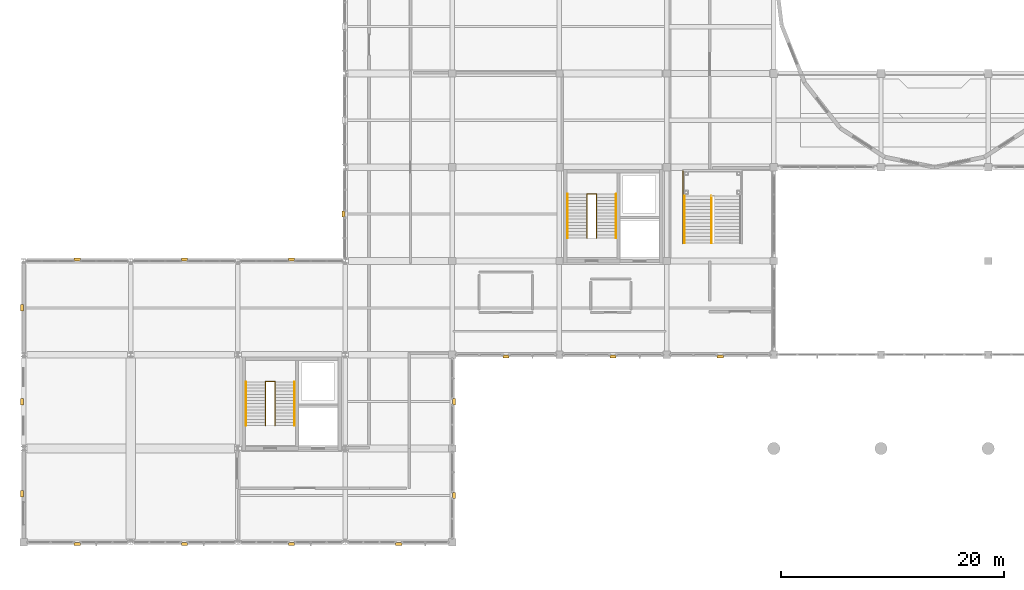
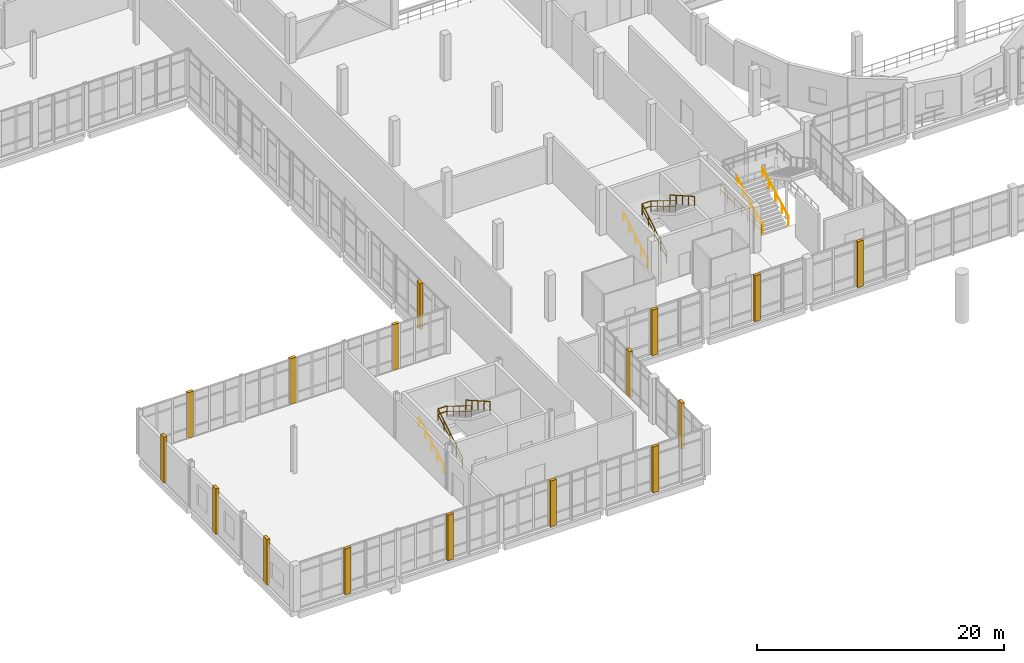
# One storey, part 96 of 102: 16 coverings, 13 railings.
"""IFC4 building model written with IfcOpenShell, lengths in metres."""

from ifc_helpers import new_model, si_unit, direction, frame, origin, origin_2d, place, context, subcontext, project, spatial, polyline, circle, outline, extrude, material, layer, layer_set, type_object, element, save


model = new_model("IFC4")

# Units and contexts
model_context = context("Model", 3, precision=1e-05, world=origin(), true_north=direction((0.0, 1.0)))
body_context = subcontext(model_context, "Body", "Model", "MODEL_VIEW")
ifc_project = project(units=[si_unit("LENGTHUNIT", "METRE"), si_unit("AREAUNIT", "SQUARE_METRE"), si_unit("VOLUMEUNIT", "CUBIC_METRE"), si_unit("PLANEANGLEUNIT", "RADIAN"), si_unit("MASSUNIT", "GRAM", prefix="KILO")], contexts=[model_context])

# Site, building, storey
site_placement = place(None, origin())
site = spatial("IfcSite", under=ifc_project, at=site_placement, CompositionType="ELEMENT")
building_placement = place(site_placement, origin())
building = spatial("IfcBuilding", under=site, at=building_placement, Name="Lornevale Opera House", CompositionType="ELEMENT")
storey_placement = place(building_placement, frame((0.0, 0.0, 5.39990234375)))
storey = spatial("IfcBuildingStorey", under=building, at=storey_placement, Name="L02", CompositionType="ELEMENT", Elevation=5.39990234375)

# Railing
ifc_material_1 = material(Name="Structural Steel CSA G40.21 Grade 350W (350 MPa)", Category="steel")
ifc_layer_1 = layer(ifc_material_1, 0.06005859375)
ifc_layer_set_1 = layer_set([ifc_layer_1], Name="Structural Steel CSA G40.21 Grade 350W (350 MPa)")
railing_type_1 = type_object("IfcRailingType", Name="Atrium Acoustic Balustrade 1120", PredefinedType="BALUSTRADE", material=ifc_layer_set_1)
railing_1_placement = place(storey_placement, frame((59.050048828125, 26.75, 0.0)))
element("IfcRailing", 1, at=railing_1_placement, inside=storey, type_object=railing_type_1, Name="Feature Stair Well Guard L02", PredefinedType="BALUSTRADE", context=body_context, shape_type="SweptSolid", body=[
    extrude(circle(Radius=0.02392578125, at=origin_2d()), frame((0.0, 0.0, 1.09619140625), z_axis=(0.0, 1.0, 0.0), x_axis=(-1.0, 0.0, 0.0)), (0.0, 0.0, 1.0), 6.60009765625),
    extrude(circle(Radius=0.02392578125, at=origin_2d()), frame((0.0, 0.0, 0.56005859375), z_axis=(0.0, 1.0, 0.0), x_axis=(-1.0, 0.0, 0.0)), (0.0, 0.0, 1.0), 6.60009765625),
    extrude(circle(Radius=0.02099609375, at=origin_2d()), origin(), (0.0, 0.0, 1.0), 1.072021484375),
    extrude(circle(Radius=0.02099609375, at=origin_2d()), frame((0.0, 1.10009765625, 0.0)), (0.0, 0.0, 1.0), 1.072021484375),
    extrude(circle(Radius=0.02099609375, at=origin_2d()), frame((0.0, 2.199951171875, 0.0)), (0.0, 0.0, 1.0), 1.072021484375),
    extrude(circle(Radius=0.02099609375, at=origin_2d()), frame((0.0, 3.300048828125, 0.0)), (0.0, 0.0, 1.0), 1.072021484375),
    extrude(circle(Radius=0.02099609375, at=origin_2d()), frame((0.0, 4.400146484375, 0.0)), (0.0, 0.0, 1.0), 1.072021484375),
    extrude(circle(Radius=0.02099609375, at=origin_2d()), frame((0.0, 5.5, 0.0)), (0.0, 0.0, 1.0), 1.072021484375),
    extrude(circle(Radius=0.02099609375, at=origin_2d()), frame((0.0, 6.60009765625, 0.0)), (0.0, 0.0, 1.0), 1.072021484375),
])

# Coverings
ifc_material_2 = material(Name="Precast Concrete 40 MPa (CSA A23.1 C-1)", Category="concrete")
ifc_layer_2 = layer(ifc_material_2, 0.260009765625)
ifc_layer_set_2 = layer_set([ifc_layer_2], Name="Precast Concrete 40 MPa (CSA A23.1 C-1)")
covering_type = type_object("IfcCoveringType", Name="Postmodern Sandstone Pilaster Rib", PredefinedType="CLADDING", material=ifc_layer_set_2)
covering_1_placement = place(storey_placement, origin())
element("IfcCovering", 2, at=covering_1_placement, inside=storey, type_object=covering_type, Name="Postmodern Sandstone Mullion Pier 0185", PredefinedType="CLADDING", context=body_context, shape_type="SweptSolid", body=[
    extrude(outline(polyline([(5.080078125, 0.0), (4.52001953125, 0.0), (4.52001953125, -0.280029296875), (5.080078125, -0.280029296875), (5.080078125, 0.0)])), origin(), (0.0, 0.0, 1.0), 4.52001953125),
])
covering_2_placement = place(storey_placement, origin())
element("IfcCovering", 3, at=covering_2_placement, inside=storey, type_object=covering_type, Name="Postmodern Sandstone Pilaster 0186", PredefinedType="CLADDING", context=body_context, shape_type="SweptSolid", body=[
    extrude(outline(polyline([(0.0, 4.072998046875), (0.0, 4.633056640625), (-0.280029296875, 4.633056640625), (-0.280029296875, 4.072998046875), (0.0, 4.072998046875)])), origin(), (0.0, 0.0, 1.0), 4.52001953125),
])
covering_3_placement = place(storey_placement, origin())
element("IfcCovering", 4, at=covering_3_placement, inside=storey, type_object=covering_type, Name="Postmodern Sandstone Pilaster 0187", PredefinedType="CLADDING", context=body_context, shape_type="SweptSolid", body=[
    extrude(outline(polyline([(0.0, 12.320068359375), (0.0, 12.8798828125), (-0.280029296875, 12.8798828125), (-0.280029296875, 12.320068359375), (0.0, 12.320068359375)])), origin(), (0.0, 0.0, 1.0), 4.52001953125),
])
covering_4_placement = place(storey_placement, origin())
element("IfcCovering", 5, at=covering_4_placement, inside=storey, type_object=covering_type, Name="Postmodern Sandstone Mullion Pier 0188", PredefinedType="CLADDING", context=body_context, shape_type="SweptSolid", body=[
    extrude(outline(polyline([(4.52001953125, 25.199951171875), (5.080078125, 25.199951171875), (5.080078125, 25.47998046875), (4.52001953125, 25.47998046875), (4.52001953125, 25.199951171875)])), origin(), (0.0, 0.0, 1.0), 4.52001953125),
])
covering_5_placement = place(storey_placement, origin())
element("IfcCovering", 6, at=covering_5_placement, inside=storey, type_object=covering_type, Name="Postmodern Sandstone Pilaster 0189", PredefinedType="CLADDING", context=body_context, shape_type="SweptSolid", body=[
    extrude(outline(polyline([(0.0, 20.719970703125), (0.0, 21.280029296875), (-0.280029296875, 21.280029296875), (-0.280029296875, 20.719970703125), (0.0, 20.719970703125)])), origin(), (0.0, 0.0, 1.0), 4.52001953125),
])
covering_6_placement = place(storey_placement, origin())
element("IfcCovering", 7, at=covering_6_placement, inside=storey, type_object=covering_type, Name="Postmodern Sandstone Mullion Pier 0196", PredefinedType="CLADDING", context=body_context, shape_type="SweptSolid", body=[
    extrude(outline(polyline([(14.679931640625, 0.0), (14.1201171875, 0.0), (14.1201171875, -0.280029296875), (14.679931640625, -0.280029296875), (14.679931640625, 0.0)])), origin(), (0.0, 0.0, 1.0), 4.52001953125),
])
covering_7_placement = place(storey_placement, origin())
element("IfcCovering", 8, at=covering_7_placement, inside=storey, type_object=covering_type, Name="Postmodern Sandstone Mullion Pier 0197", PredefinedType="CLADDING", context=body_context, shape_type="SweptSolid", body=[
    extrude(outline(polyline([(14.1201171875, 25.199951171875), (14.679931640625, 25.199951171875), (14.679931640625, 25.47998046875), (14.1201171875, 25.47998046875), (14.1201171875, 25.199951171875)])), origin(), (0.0, 0.0, 1.0), 4.52001953125),
])
covering_8_placement = place(storey_placement, origin())
element("IfcCovering", 9, at=covering_8_placement, inside=storey, type_object=covering_type, Name="Postmodern Sandstone Mullion Pier 0200", PredefinedType="CLADDING", context=body_context, shape_type="SweptSolid", body=[
    extrude(outline(polyline([(24.280029296875, 0.0), (23.719970703125, 0.0), (23.719970703125, -0.280029296875), (24.280029296875, -0.280029296875), (24.280029296875, 0.0)])), origin(), (0.0, 0.0, 1.0), 4.52001953125),
])
covering_9_placement = place(storey_placement, origin())
element("IfcCovering", 10, at=covering_9_placement, inside=storey, type_object=covering_type, Name="Postmodern Sandstone Mullion Pier 0201", PredefinedType="CLADDING", context=body_context, shape_type="SweptSolid", body=[
    extrude(outline(polyline([(23.719970703125, 25.199951171875), (24.280029296875, 25.199951171875), (24.280029296875, 25.47998046875), (23.719970703125, 25.47998046875), (23.719970703125, 25.199951171875)])), origin(), (0.0, 0.0, 1.0), 4.52001953125),
])
covering_10_placement = place(storey_placement, origin())
element("IfcCovering", 11, at=covering_10_placement, inside=storey, type_object=covering_type, Name="Postmodern Sandstone Mullion Pier 0204", PredefinedType="CLADDING", context=body_context, shape_type="SweptSolid", body=[
    extrude(outline(polyline([(33.8798828125, 0.0), (33.320068359375, 0.0), (33.320068359375, -0.280029296875), (33.8798828125, -0.280029296875), (33.8798828125, 0.0)])), origin(), (0.0, 0.0, 1.0), 4.52001953125),
])
covering_11_placement = place(storey_placement, origin())
element("IfcCovering", 12, at=covering_11_placement, inside=storey, type_object=covering_type, Name="Postmodern Sandstone Mullion Pier 0205", PredefinedType="CLADDING", context=body_context, shape_type="SweptSolid", body=[
    extrude(outline(polyline([(38.39990234375, 4.47998046875), (38.39990234375, 3.919921875), (38.679931640625, 3.919921875), (38.679931640625, 4.47998046875), (38.39990234375, 4.47998046875)])), origin(), (0.0, 0.0, 1.0), 4.52001953125),
])
covering_12_placement = place(storey_placement, origin())
element("IfcCovering", 13, at=covering_12_placement, inside=storey, type_object=covering_type, Name="Postmodern Sandstone Mullion Pier 0206", PredefinedType="CLADDING", context=body_context, shape_type="SweptSolid", body=[
    extrude(outline(polyline([(38.39990234375, 12.8798828125), (38.39990234375, 12.320068359375), (38.679931640625, 12.320068359375), (38.679931640625, 12.8798828125), (38.39990234375, 12.8798828125)])), origin(), (0.0, 0.0, 1.0), 4.52001953125),
])
covering_13_placement = place(storey_placement, origin())
element("IfcCovering", 14, at=covering_13_placement, inside=storey, type_object=covering_type, Name="Postmodern Sandstone Mullion Pier 0207", PredefinedType="CLADDING", context=body_context, shape_type="SweptSolid", body=[
    extrude(outline(polyline([(28.800048828125, 29.1201171875), (28.800048828125, 29.679931640625), (28.52001953125, 29.679931640625), (28.52001953125, 29.1201171875), (28.800048828125, 29.1201171875)])), origin(), (0.0, 0.0, 1.0), 4.52001953125),
])
covering_14_placement = place(storey_placement, origin())
element("IfcCovering", 15, at=covering_14_placement, inside=storey, type_object=covering_type, Name="Postmodern Sandstone Mullion Pier 0213", PredefinedType="CLADDING", context=body_context, shape_type="SweptSolid", body=[
    extrude(outline(polyline([(43.47998046875, 16.800048828125), (42.919921875, 16.800048828125), (42.919921875, 16.52001953125), (43.47998046875, 16.52001953125), (43.47998046875, 16.800048828125)])), origin(), (0.0, 0.0, 1.0), 4.52001953125),
])
covering_15_placement = place(storey_placement, origin())
element("IfcCovering", 16, at=covering_15_placement, inside=storey, type_object=covering_type, Name="Postmodern Sandstone Mullion Pier 0215", PredefinedType="CLADDING", context=body_context, shape_type="SweptSolid", body=[
    extrude(outline(polyline([(53.080078125, 16.800048828125), (52.52001953125, 16.800048828125), (52.52001953125, 16.52001953125), (53.080078125, 16.52001953125), (53.080078125, 16.800048828125)])), origin(), (0.0, 0.0, 1.0), 4.52001953125),
])
covering_16_placement = place(storey_placement, origin())
element("IfcCovering", 17, at=covering_16_placement, inside=storey, type_object=covering_type, Name="Postmodern Sandstone Mullion Pier 0217", PredefinedType="CLADDING", context=body_context, shape_type="SweptSolid", body=[
    extrude(outline(polyline([(62.679931640625, 16.800048828125), (62.1201171875, 16.800048828125), (62.1201171875, 16.52001953125), (62.679931640625, 16.52001953125), (62.679931640625, 16.800048828125)])), origin(), (0.0, 0.0, 1.0), 4.52001953125),
])

# Railings
ifc_layer_3 = layer(ifc_material_1, 0.050048828125)
ifc_layer_set_3 = layer_set([ifc_layer_3], Name="Structural Steel CSA G40.21 Grade 350W (350 MPa)")
railing_type_2 = type_object("IfcRailingType", Name="Stair Well Guardrail 1100", PredefinedType="GUARDRAIL", material=ifc_layer_set_3)
railing_2_placement = place(storey_placement, frame((50.47998046875, 27.260009765625, 0.0)))
element("IfcRailing", 18, at=railing_2_placement, inside=storey, type_object=railing_type_2, Name="ST-04 Inner Well Guard F1", PredefinedType="GUARDRAIL", context=body_context, shape_type="SweptSolid", body=[
    extrude(circle(Radius=0.02392578125, at=origin_2d()), frame((0.0, 0.0, 1.076171875), z_axis=(0.0, 0.852832477147, 0.522184609045), x_axis=(-1.0, 0.0, 0.0)), (0.0, 0.0, 1.0), 4.596435546875),
    extrude(circle(Radius=0.02392578125, at=origin_2d()), frame((0.0, 0.0, 0.550048828125), z_axis=(0.0, 0.852832477147, 0.522184609045), x_axis=(-1.0, 0.0, 0.0)), (0.0, 0.0, 1.0), 4.596435546875),
    extrude(circle(Radius=0.02099609375, at=origin_2d()), origin(), (0.0, 0.0, 1.0), 1.052001953125),
    extrude(circle(Radius=0.02099609375, at=origin_2d()), frame((0.0, 0.97998046875, 0.60009765625)), (0.0, 0.0, 1.0), 1.052001953125),
    extrude(circle(Radius=0.02099609375, at=origin_2d()), frame((0.0, 1.9599609375, 1.2001953125)), (0.0, 0.0, 1.0), 1.052001953125),
    extrude(circle(Radius=0.02099609375, at=origin_2d()), frame((0.0, 2.93994140625, 1.800048828125)), (0.0, 0.0, 1.0), 1.052001953125),
    extrude(circle(Radius=0.02099609375, at=origin_2d()), frame((0.0, 3.919921875, 2.400146484375)), (0.0, 0.0, 1.0), 1.052001953125),
])
railing_3_placement = place(storey_placement, frame((51.320068359375, 31.179931640625, 2.400146484375)))
element("IfcRailing", 19, at=railing_3_placement, inside=storey, type_object=railing_type_2, Name="ST-04 Inner Well Guard F2", PredefinedType="GUARDRAIL", context=body_context, shape_type="SweptSolid", body=[
    extrude(circle(Radius=0.02392578125, at=origin_2d()), frame((0.0, 0.0, 1.076171875), z_axis=(0.0, -0.852856131449, 0.522145974847), x_axis=(1.0, 0.0, 0.0)), (0.0, 0.0, 1.0), 4.59619140625),
    extrude(circle(Radius=0.02392578125, at=origin_2d()), frame((0.0, 0.0, 0.550048828125), z_axis=(0.0, -0.852856131449, 0.522145974847), x_axis=(1.0, 0.0, 0.0)), (0.0, 0.0, 1.0), 4.59619140625),
    extrude(circle(Radius=0.02099609375, at=origin_2d()), origin(), (0.0, 0.0, 1.0), 1.052001953125),
    extrude(circle(Radius=0.02099609375, at=origin_2d()), frame((0.0, -0.97998046875, 0.60009765625)), (0.0, 0.0, 1.0), 1.052001953125),
    extrude(circle(Radius=0.02099609375, at=origin_2d()), frame((0.0, -1.9599609375, 1.199951171875)), (0.0, 0.0, 1.0), 1.052001953125),
    extrude(circle(Radius=0.02099609375, at=origin_2d()), frame((0.0, -2.93994140625, 1.7998046875)), (0.0, 0.0, 1.0), 1.052001953125),
    extrude(circle(Radius=0.02099609375, at=origin_2d()), frame((0.0, -3.919921875, 2.39990234375)), (0.0, 0.0, 1.0), 1.052001953125),
])
railing_4_placement = place(storey_placement, frame((50.47998046875, 31.2099609375, 2.400146484375)))
element("IfcRailing", 20, at=railing_4_placement, inside=storey, type_object=railing_type_2, Name="ST-04 Half-Landing Slot Guard", PredefinedType="GUARDRAIL", context=body_context, shape_type="SweptSolid", body=[
    extrude(circle(Radius=0.02392578125, at=origin_2d()), frame((0.0, 0.0, 1.076171875), z_axis=(1.0, 0.0, 0.0), x_axis=(0.0, 1.0, 0.0)), (0.0, 0.0, 1.0), 0.840087890625),
    extrude(circle(Radius=0.02392578125, at=origin_2d()), frame((0.0, 0.0, 0.550048828125), z_axis=(1.0, 0.0, 0.0), x_axis=(0.0, 1.0, 0.0)), (0.0, 0.0, 1.0), 0.840087890625),
    extrude(circle(Radius=0.02099609375, at=origin_2d()), origin(), (0.0, 0.0, 1.0), 1.052001953125),
    extrude(circle(Radius=0.02099609375, at=origin_2d()), frame((0.840087890625, 0.0, 0.0)), (0.0, 0.0, 1.0), 1.052001953125),
])
railing_5_placement = place(storey_placement, frame((21.679931640625, 10.4599609375, 0.0)))
element("IfcRailing", 21, at=railing_5_placement, inside=storey, type_object=railing_type_2, Name="ST-11 Inner Well Guard F1", PredefinedType="GUARDRAIL", context=body_context, shape_type="SweptSolid", body=[
    extrude(circle(Radius=0.02392578125, at=origin_2d()), frame((0.0, 0.0, 1.076171875), z_axis=(0.0, 0.852832477147, 0.522184609045), x_axis=(-1.0, 0.0, 0.0)), (0.0, 0.0, 1.0), 4.596435546875),
    extrude(circle(Radius=0.02392578125, at=origin_2d()), frame((0.0, 0.0, 0.550048828125), z_axis=(0.0, 0.852832477147, 0.522184609045), x_axis=(-1.0, 0.0, 0.0)), (0.0, 0.0, 1.0), 4.596435546875),
    extrude(circle(Radius=0.02099609375, at=origin_2d()), origin(), (0.0, 0.0, 1.0), 1.052001953125),
    extrude(circle(Radius=0.02099609375, at=origin_2d()), frame((0.0, 0.97998046875, 0.60009765625)), (0.0, 0.0, 1.0), 1.052001953125),
    extrude(circle(Radius=0.02099609375, at=origin_2d()), frame((0.0, 1.9599609375, 1.2001953125)), (0.0, 0.0, 1.0), 1.052001953125),
    extrude(circle(Radius=0.02099609375, at=origin_2d()), frame((0.0, 2.93994140625, 1.800048828125)), (0.0, 0.0, 1.0), 1.052001953125),
    extrude(circle(Radius=0.02099609375, at=origin_2d()), frame((0.0, 3.919921875, 2.400146484375)), (0.0, 0.0, 1.0), 1.052001953125),
])
railing_6_placement = place(storey_placement, frame((22.52001953125, 14.3798828125, 2.400146484375)))
element("IfcRailing", 22, at=railing_6_placement, inside=storey, type_object=railing_type_2, Name="ST-11 Inner Well Guard F2", PredefinedType="GUARDRAIL", context=body_context, shape_type="SweptSolid", body=[
    extrude(circle(Radius=0.02392578125, at=origin_2d()), frame((0.0, 0.0, 1.076171875), z_axis=(0.0, -0.852856131449, 0.522145974847), x_axis=(1.0, 0.0, 0.0)), (0.0, 0.0, 1.0), 4.59619140625),
    extrude(circle(Radius=0.02392578125, at=origin_2d()), frame((0.0, 0.0, 0.550048828125), z_axis=(0.0, -0.852856131449, 0.522145974847), x_axis=(1.0, 0.0, 0.0)), (0.0, 0.0, 1.0), 4.59619140625),
    extrude(circle(Radius=0.02099609375, at=origin_2d()), origin(), (0.0, 0.0, 1.0), 1.052001953125),
    extrude(circle(Radius=0.02099609375, at=origin_2d()), frame((0.0, -0.97998046875, 0.60009765625)), (0.0, 0.0, 1.0), 1.052001953125),
    extrude(circle(Radius=0.02099609375, at=origin_2d()), frame((0.0, -1.9599609375, 1.199951171875)), (0.0, 0.0, 1.0), 1.052001953125),
    extrude(circle(Radius=0.02099609375, at=origin_2d()), frame((0.0, -2.93994140625, 1.7998046875)), (0.0, 0.0, 1.0), 1.052001953125),
    extrude(circle(Radius=0.02099609375, at=origin_2d()), frame((0.0, -3.919921875, 2.39990234375)), (0.0, 0.0, 1.0), 1.052001953125),
])
railing_7_placement = place(storey_placement, frame((21.679931640625, 14.409912109375, 2.400146484375)))
element("IfcRailing", 23, at=railing_7_placement, inside=storey, type_object=railing_type_2, Name="ST-11 Half-Landing Slot Guard", PredefinedType="GUARDRAIL", context=body_context, shape_type="SweptSolid", body=[
    extrude(circle(Radius=0.02392578125, at=origin_2d()), frame((0.0, 0.0, 1.076171875), z_axis=(1.0, 0.0, 0.0), x_axis=(0.0, 1.0, 0.0)), (0.0, 0.0, 1.0), 0.840087890625),
    extrude(circle(Radius=0.02392578125, at=origin_2d()), frame((0.0, 0.0, 0.550048828125), z_axis=(1.0, 0.0, 0.0), x_axis=(0.0, 1.0, 0.0)), (0.0, 0.0, 1.0), 0.840087890625),
    extrude(circle(Radius=0.02099609375, at=origin_2d()), origin(), (0.0, 0.0, 1.0), 1.052001953125),
    extrude(circle(Radius=0.02099609375, at=origin_2d()), frame((0.840087890625, 0.0, 0.0)), (0.0, 0.0, 1.0), 1.052001953125),
])
ifc_layer_4 = layer(ifc_material_1, 0.048095703125)
ifc_layer_set_4 = layer_set([ifc_layer_4], Name="Structural Steel CSA G40.21 Grade 350W (350 MPa)")
railing_type_3 = type_object("IfcRailingType", Name="Tubular Stair Handrail 915", PredefinedType="HANDRAIL", material=ifc_layer_set_4)
railing_8_placement = place(storey_placement, frame((48.719970703125, 27.260009765625, 0.1630859375)))
element("IfcRailing", 24, at=railing_8_placement, inside=storey, type_object=railing_type_3, Name="ST-04 Outer Handrail F1", PredefinedType="HANDRAIL", context=body_context, shape_type="SweptSolid", body=[
    extrude(circle(Radius=0.02392578125, at=origin_2d()), frame((0.0, 0.0, 0.89111328125), z_axis=(0.0, 0.868239814368, 0.496144761885), x_axis=(-1.0, 0.0, 0.0)), (0.0, 0.0, 1.0), 4.514892578125),
    extrude(circle(Radius=0.02099609375, at=origin_2d()), origin(), (0.0, 0.0, 1.0), 0.866943359375),
    extrude(circle(Radius=0.02099609375, at=origin_2d()), frame((0.0, 0.97998046875, 0.56005859375)), (0.0, 0.0, 1.0), 0.866943359375),
    extrude(circle(Radius=0.02099609375, at=origin_2d()), frame((0.0, 1.9599609375, 1.1201171875)), (0.0, 0.0, 1.0), 0.866943359375),
    extrude(circle(Radius=0.02099609375, at=origin_2d()), frame((0.0, 2.93994140625, 1.679931640625)), (0.0, 0.0, 1.0), 0.866943359375),
    extrude(circle(Radius=0.02099609375, at=origin_2d()), frame((0.0, 3.919921875, 2.239990234375)), (0.0, 0.0, 1.0), 0.866943359375),
])
railing_9_placement = place(storey_placement, frame((53.080078125, 31.179931640625, 2.56298828125)))
element("IfcRailing", 25, at=railing_9_placement, inside=storey, type_object=railing_type_3, Name="ST-04 Outer Handrail F2", PredefinedType="HANDRAIL", context=body_context, shape_type="SweptSolid", body=[
    extrude(circle(Radius=0.02392578125, at=origin_2d()), frame((0.0, 0.0, 0.89111328125), z_axis=(0.0, -0.868239814368, 0.496144761885), x_axis=(1.0, 0.0, 0.0)), (0.0, 0.0, 1.0), 4.514892578125),
    extrude(circle(Radius=0.02099609375, at=origin_2d()), origin(), (0.0, 0.0, 1.0), 0.866943359375),
    extrude(circle(Radius=0.02099609375, at=origin_2d()), frame((0.0, -0.97998046875, 0.56005859375)), (0.0, 0.0, 1.0), 0.866943359375),
    extrude(circle(Radius=0.02099609375, at=origin_2d()), frame((0.0, -1.9599609375, 1.1201171875)), (0.0, 0.0, 1.0), 0.866943359375),
    extrude(circle(Radius=0.02099609375, at=origin_2d()), frame((0.0, -2.93994140625, 1.679931640625)), (0.0, 0.0, 1.0), 0.866943359375),
    extrude(circle(Radius=0.02099609375, at=origin_2d()), frame((0.0, -3.919921875, 2.239990234375)), (0.0, 0.0, 1.0), 0.866943359375),
])
railing_10_placement = place(storey_placement, frame((19.919921875, 10.4599609375, 0.1630859375)))
element("IfcRailing", 26, at=railing_10_placement, inside=storey, type_object=railing_type_3, Name="ST-11 Outer Handrail F1", PredefinedType="HANDRAIL", context=body_context, shape_type="SweptSolid", body=[
    extrude(circle(Radius=0.02392578125, at=origin_2d()), frame((0.0, 0.0, 0.89111328125), z_axis=(0.0, 0.868239814368, 0.496144761885), x_axis=(-1.0, 0.0, 0.0)), (0.0, 0.0, 1.0), 4.514892578125),
    extrude(circle(Radius=0.02099609375, at=origin_2d()), origin(), (0.0, 0.0, 1.0), 0.866943359375),
    extrude(circle(Radius=0.02099609375, at=origin_2d()), frame((0.0, 0.97998046875, 0.56005859375)), (0.0, 0.0, 1.0), 0.866943359375),
    extrude(circle(Radius=0.02099609375, at=origin_2d()), frame((0.0, 1.9599609375, 1.1201171875)), (0.0, 0.0, 1.0), 0.866943359375),
    extrude(circle(Radius=0.02099609375, at=origin_2d()), frame((0.0, 2.93994140625, 1.679931640625)), (0.0, 0.0, 1.0), 0.866943359375),
    extrude(circle(Radius=0.02099609375, at=origin_2d()), frame((0.0, 3.919921875, 2.239990234375)), (0.0, 0.0, 1.0), 0.866943359375),
])
railing_11_placement = place(storey_placement, frame((24.280029296875, 14.3798828125, 2.56298828125)))
element("IfcRailing", 27, at=railing_11_placement, inside=storey, type_object=railing_type_3, Name="ST-11 Outer Handrail F2", PredefinedType="HANDRAIL", context=body_context, shape_type="SweptSolid", body=[
    extrude(circle(Radius=0.02392578125, at=origin_2d()), frame((0.0, 0.0, 0.89111328125), z_axis=(0.0, -0.868239814368, 0.496144761885), x_axis=(1.0, 0.0, 0.0)), (0.0, 0.0, 1.0), 4.514892578125),
    extrude(circle(Radius=0.02099609375, at=origin_2d()), origin(), (0.0, 0.0, 1.0), 0.866943359375),
    extrude(circle(Radius=0.02099609375, at=origin_2d()), frame((0.0, -0.97998046875, 0.56005859375)), (0.0, 0.0, 1.0), 0.866943359375),
    extrude(circle(Radius=0.02099609375, at=origin_2d()), frame((0.0, -1.9599609375, 1.1201171875)), (0.0, 0.0, 1.0), 0.866943359375),
    extrude(circle(Radius=0.02099609375, at=origin_2d()), frame((0.0, -2.93994140625, 1.679931640625)), (0.0, 0.0, 1.0), 0.866943359375),
    extrude(circle(Radius=0.02099609375, at=origin_2d()), frame((0.0, -3.919921875, 2.239990234375)), (0.0, 0.0, 1.0), 0.866943359375),
])
for number, where, name in (
    (28, (59.199951171875, 26.800048828125, 0.1630859375), "Grand Stair Handrail 0211"),
    (29, (61.60009765625, 26.800048828125, 0.1630859375), "Grand Stair Handrail 0212"),
):
    element("IfcRailing", number, at=place(storey_placement, frame(where)), inside=storey, type_object=railing_type_3, Name=name, PredefinedType="HANDRAIL", context=body_context, shape_type="SweptSolid", body=[
        extrude(circle(Radius=0.02392578125, at=origin_2d()), frame((0.0, 0.0, 0.89111328125), z_axis=(0.0, 0.882351521365, 0.470590897432), x_axis=(-1.0, 0.0, 0.0)), (0.0, 0.0, 1.0), 4.760009765625),
        extrude(circle(Radius=0.02099609375, at=origin_2d()), origin(), (0.0, 0.0, 1.0), 0.866943359375),
        extrude(circle(Radius=0.02099609375, at=origin_2d()), frame((0.0, 1.050048828125, 0.56005859375)), (0.0, 0.0, 1.0), 0.866943359375),
        extrude(circle(Radius=0.02099609375, at=origin_2d()), frame((0.0, 2.10009765625, 1.1201171875)), (0.0, 0.0, 1.0), 0.866943359375),
        extrude(circle(Radius=0.02099609375, at=origin_2d()), frame((0.0, 3.14990234375, 1.679931640625)), (0.0, 0.0, 1.0), 0.866943359375),
        extrude(circle(Radius=0.02099609375, at=origin_2d()), frame((0.0, 4.199951171875, 2.239990234375)), (0.0, 0.0, 1.0), 0.866943359375),
    ])

save(model, "model.ifc")
